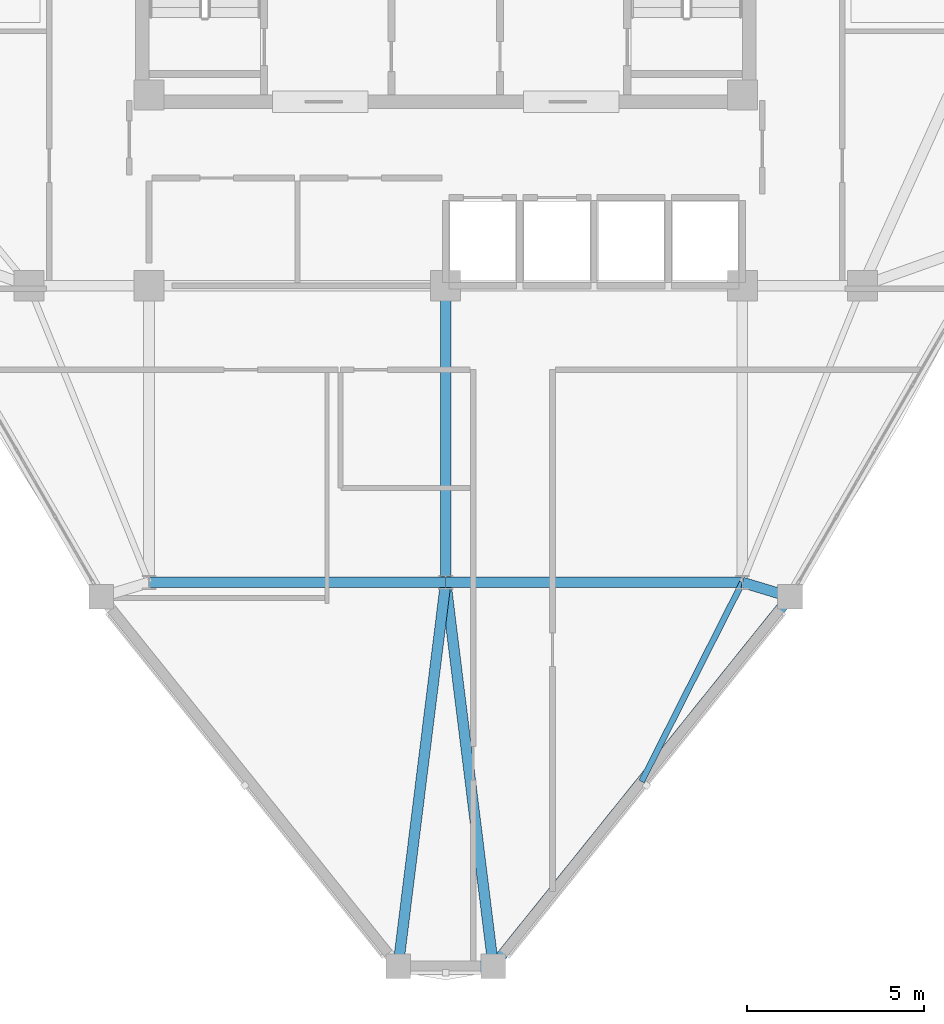
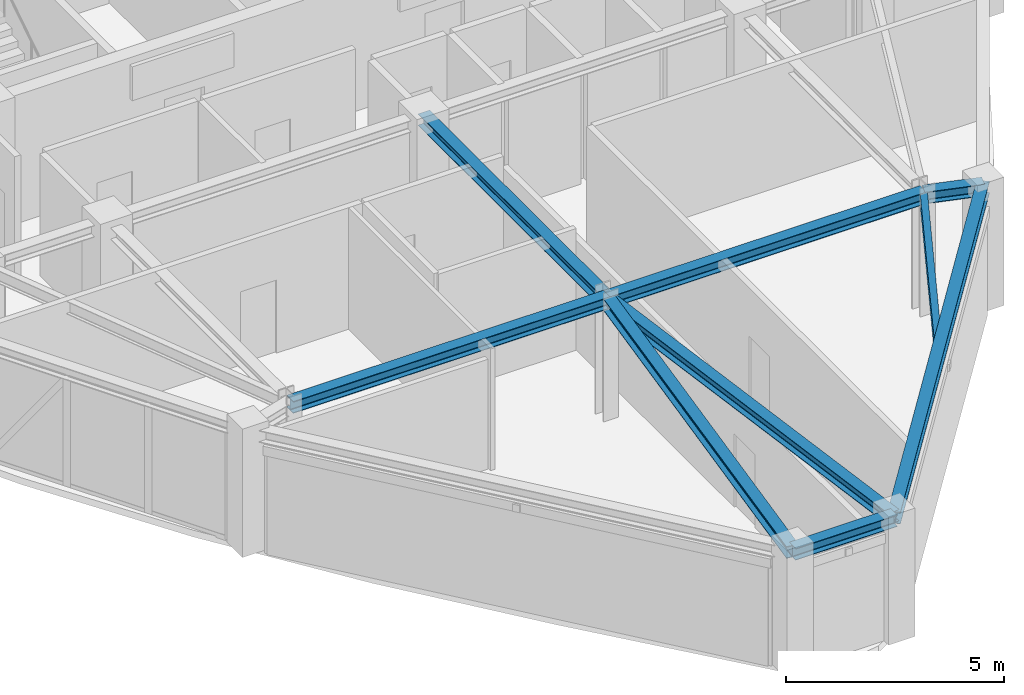
# One storey, part 3 of 15: 9 beams.
"""IFC4 building model written with IfcOpenShell, lengths in metres."""

from ifc_helpers import new_model, si_unit, derived_unit, direction, frame, origin, origin_2d, place, context, subcontext, project, spatial, i_section, extrude, source, transform, mapped, material, material_profile, profile_set, type_object, element, save


model = new_model("IFC4")

# Units and contexts
model_context = context("Model", 3, precision=1e-05, world=origin(), true_north=direction((0.0, 1.0)))
body_context = subcontext(model_context, "Body", "Model", "MODEL_VIEW")
ifc_project = project(units=[si_unit("LENGTHUNIT", "METRE"), si_unit("AREAUNIT", "SQUARE_METRE"), si_unit("VOLUMEUNIT", "CUBIC_METRE"), si_unit("PLANEANGLEUNIT", "RADIAN"), si_unit("MASSUNIT", "GRAM", prefix="KILO"), derived_unit("THERMALTRANSMITTANCEUNIT", [(si_unit("POWERUNIT", "WATT"), 1), (si_unit("LENGTHUNIT", "METRE"), -2), (si_unit("THERMODYNAMICTEMPERATUREUNIT", "KELVIN"), -1)])], contexts=[model_context])

# Site, building, storey
site_placement = place(None, origin())
site = spatial("IfcSite", under=ifc_project, at=site_placement, CompositionType="ELEMENT")
building_placement = place(site_placement, origin())
building = spatial("IfcBuilding", under=site, at=building_placement, Name="Korsvarv Bourse and Concert Hall", CompositionType="ELEMENT")
storey_placement = place(building_placement, frame((0.0, 0.0, 268.199951171875)))
storey = spatial("IfcBuildingStorey", under=building, at=storey_placement, Name="L70", CompositionType="ELEMENT", Elevation=268.199951171875)

# Beams
ifc_material = material(Name="Steel S355", Category="steel")
ifc_material_profile_1 = material_profile(ifc_material, i_section(OverallWidth=0.300048828125, OverallDepth=0.330078125, WebThickness=0.009521484375, FlangeThickness=0.0166015625, FilletRadius=0.02099609375, at=origin_2d()), Name="HEA 340")
ifc_profile_set_1 = profile_set([ifc_material_profile_1], Name="Steel S355")
beam_type_1 = type_object("IfcBeamType", Name="BM-HEA340", PredefinedType="BEAM", material=ifc_profile_set_1)
shared_shape_1 = source(origin(), body_context, "Body", "SweptSolid", [
    extrude(i_section(OverallWidth=0.300048828125, OverallDepth=0.330078125, WebThickness=0.009521484375, FlangeThickness=0.0166015625, FilletRadius=0.02099609375, at=origin_2d()), origin(), (0.0, 0.0, 1.0), 8.39990234375),
])
for number, where, z_axis, x_axis, name in (
    (1, (27.60009765625, 24.0, 3.2451171875), (1.0, 0.0, 0.0), (0.0, 1.0, 0.0), "L70 beam B-12"),
    (2, (36.0, 24.0, 3.2451171875), (1.0, 0.0, 0.0), (0.0, 1.0, 0.0), "L70 beam B-12"),
    (3, (36.0, 24.0, 3.2451171875), (0.0, 1.0, 0.0), (-1.0, 0.0, 0.0), "L70 beam B-12"),
):
    element("IfcBeam", number, at=place(storey_placement, frame(where, z_axis=z_axis, x_axis=x_axis)), inside=storey, type_object=beam_type_1, Name=name, PredefinedType="BEAM", context=body_context, shape_type="MappedRepresentation", body=[
        mapped(shared_shape_1, transform((0.0, 0.0, 0.0), scale=1.0)),
    ])
shared_shape_2 = source(origin(), body_context, "Body", "SweptSolid", [
    extrude(i_section(OverallWidth=0.300048828125, OverallDepth=0.330078125, WebThickness=0.009521484375, FlangeThickness=0.0166015625, FilletRadius=0.02099609375, at=origin_2d()), origin(), (0.0, 0.0, 1.0), 2.6923828125),
])
beam_1_placement = place(storey_placement, frame((34.65380859375, 13.135498046875, 3.2451171875), z_axis=(1.0, 0.0, 0.0), x_axis=(0.0, 1.0, 0.0)))
element("IfcBeam", 4, at=beam_1_placement, inside=storey, type_object=beam_type_1, Name="L70 beam B-12", PredefinedType="BEAM", context=body_context, shape_type="MappedRepresentation", body=[
    mapped(shared_shape_2, transform((0.0, 0.0, 0.0), scale=1.0)),
])
shared_shape_3 = source(origin(), body_context, "Body", "SweptSolid", [
    extrude(i_section(OverallWidth=0.300048828125, OverallDepth=0.330078125, WebThickness=0.009521484375, FlangeThickness=0.0166015625, FilletRadius=0.02099609375, at=origin_2d()), origin(), (0.0, 0.0, 1.0), 13.416015625),
])
beam_2_placement = place(storey_placement, frame((37.34619140625, 13.135498046875, 3.2451171875), z_axis=(0.626382420215, 0.779515916223, 0.0), x_axis=(-0.779515916223, 0.626382420215, 0.0)))
element("IfcBeam", 5, at=beam_2_placement, inside=storey, type_object=beam_type_1, Name="L70 beam B-12", PredefinedType="BEAM", context=body_context, shape_type="MappedRepresentation", body=[
    mapped(shared_shape_3, transform((0.0, 0.0, 0.0), scale=1.0)),
])
shared_shape_4 = source(origin(), body_context, "Body", "SweptSolid", [
    extrude(i_section(OverallWidth=0.300048828125, OverallDepth=0.330078125, WebThickness=0.009521484375, FlangeThickness=0.0166015625, FilletRadius=0.02099609375, at=origin_2d()), origin(), (0.0, 0.0, 1.0), 1.40966796875),
])
beam_3_placement = place(storey_placement, frame((45.749755859375, 23.593505859375, 3.2451171875), z_axis=(-0.957525473457, 0.288348691139, 0.0), x_axis=(-0.288348691139, -0.957525473457, 0.0)))
element("IfcBeam", 6, at=beam_3_placement, inside=storey, type_object=beam_type_1, Name="L70 beam B-12", PredefinedType="BEAM", context=body_context, shape_type="MappedRepresentation", body=[
    mapped(shared_shape_4, transform((0.0, 0.0, 0.0), scale=1.0)),
])
shared_shape_5 = source(origin(), body_context, "Body", "SweptSolid", [
    extrude(i_section(OverallWidth=0.300048828125, OverallDepth=0.330078125, WebThickness=0.009521484375, FlangeThickness=0.0166015625, FilletRadius=0.02099609375, at=origin_2d()), origin(), (0.0, 0.0, 1.0), 10.947509765625),
])
for number, where, z_axis, x_axis, name in (
    (7, (34.65380859375, 13.135498046875, 3.2451171875), (0.122966966019, 0.992410764385, 0.0), (-0.992410764385, 0.122966966019, 0.0), "L70 beam B-12"),
    (8, (37.34619140625, 13.135498046875, 3.2451171875), (-0.122966966019, 0.992410764385, 0.0), (-0.992410764385, -0.122966966019, 0.0), "L70 beam B-12"),
):
    element("IfcBeam", number, at=place(storey_placement, frame(where, z_axis=z_axis, x_axis=x_axis)), inside=storey, type_object=beam_type_1, Name=name, PredefinedType="BEAM", context=body_context, shape_type="MappedRepresentation", body=[
        mapped(shared_shape_5, transform((0.0, 0.0, 0.0), scale=1.0)),
    ])
ifc_material_profile_2 = material_profile(ifc_material, i_section(OverallWidth=0.169921875, OverallDepth=0.360107421875, WebThickness=0.008056640625, FlangeThickness=0.0126953125, FilletRadius=0.01806640625, at=origin_2d()), Name="IPE 360")
ifc_profile_set_2 = profile_set([ifc_material_profile_2], Name="Steel S355")
beam_type_2 = type_object("IfcBeamType", Name="BM-IPE360", PredefinedType="JOIST", material=ifc_profile_set_2)
shared_shape_6 = source(origin(), body_context, "Body", "SweptSolid", [
    extrude(i_section(OverallWidth=0.169921875, OverallDepth=0.360107421875, WebThickness=0.008056640625, FlangeThickness=0.0126953125, FilletRadius=0.01806640625, at=origin_2d()), origin(), (0.0, 0.0, 1.0), 6.31591796875),
])
beam_4_placement = place(storey_placement, frame((41.548095703125, 18.364501953125, 3.22998046875), z_axis=(0.451522226817, 0.892259871725, 0.0), x_axis=(-0.892259871725, 0.451522226817, 0.0)))
element("IfcBeam", 9, at=beam_4_placement, inside=storey, type_object=beam_type_2, Name="L70 beam J-06", PredefinedType="JOIST", context=body_context, shape_type="MappedRepresentation", body=[
    mapped(shared_shape_6, transform((0.0, 0.0, 0.0), scale=1.0)),
])

save(model, "model.ifc")
